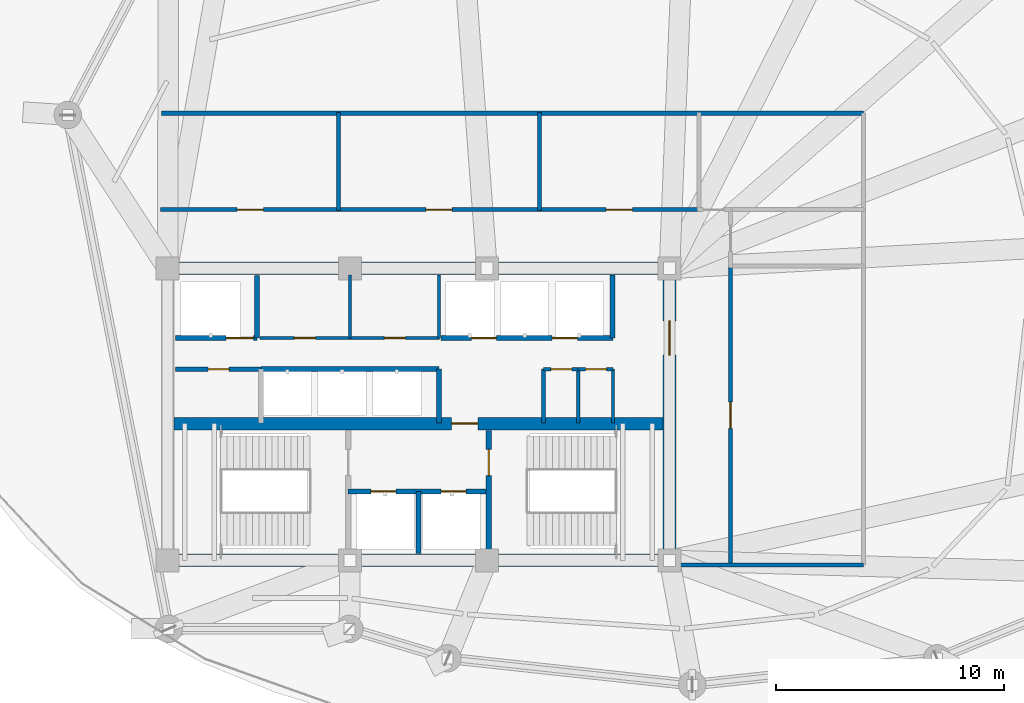
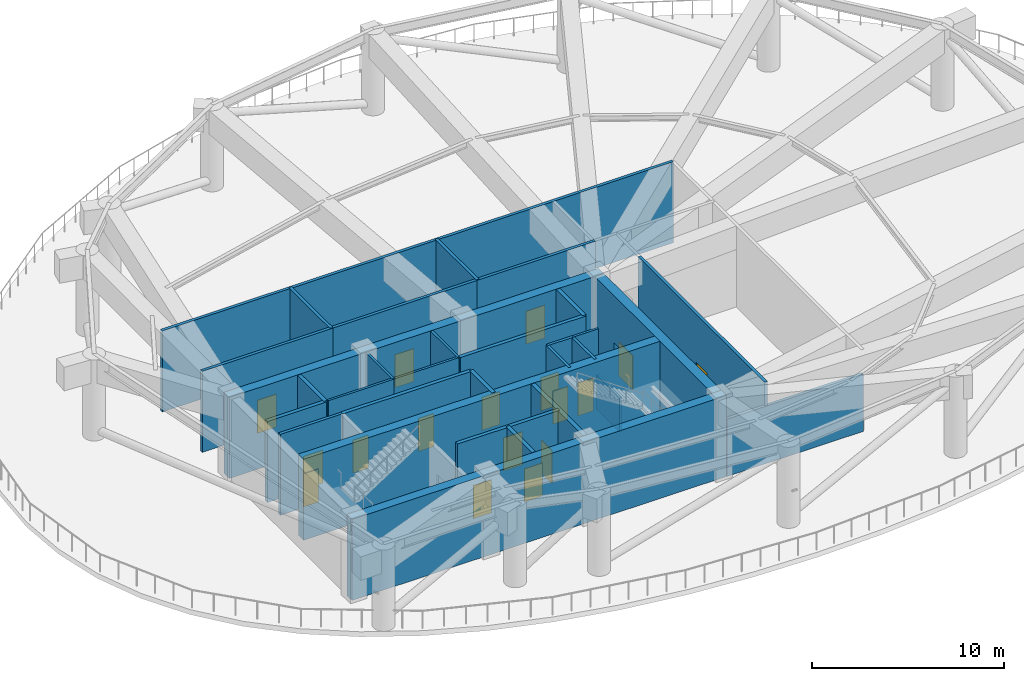
# One storey, part 6 of 9: 31 walls, 17 doors, 17 openings.
"""IFC4 building model written with IfcOpenShell, lengths in metres."""

from ifc_helpers import new_model, si_unit, direction, frame, frame_2d, origin, place, context, subcontext, project, spatial, rectangle, extrude, material, layer, layer_set, type_object, element, fill, save


model = new_model("IFC4")

# Units and contexts
model_context = context("Model", 3, precision=1e-05, world=origin(), true_north=direction((0.0, 1.0)))
body_context = subcontext(model_context, "Body", "Model", "MODEL_VIEW")
ifc_project = project(units=[si_unit("LENGTHUNIT", "METRE"), si_unit("AREAUNIT", "SQUARE_METRE"), si_unit("VOLUMEUNIT", "CUBIC_METRE"), si_unit("PLANEANGLEUNIT", "RADIAN"), si_unit("MASSUNIT", "GRAM", prefix="KILO")], contexts=[model_context])

# Site, building, storey
site_placement = place(None, origin())
site = spatial("IfcSite", under=ifc_project, at=site_placement, CompositionType="ELEMENT")
building_placement = place(site_placement, origin())
building = spatial("IfcBuilding", under=site, at=building_placement, Name="Kazevale Care Tower and Concert Hall", CompositionType="ELEMENT")
storey_placement = place(building_placement, frame((0.0, 0.0, 181.800048828125)))
storey = spatial("IfcBuildingStorey", under=building, at=storey_placement, Name="L48", CompositionType="ELEMENT", Elevation=181.800048828125)

# Wall, opening, door
ifc_material_1 = material(Name="Acoustic Gypsum on Steel Stud", Category="steel")
ifc_layer_1 = layer(ifc_material_1, 0.139892578125)
ifc_layer_set_1 = layer_set([ifc_layer_1], Name="Acoustic Gypsum on Steel Stud")
wall_type_1 = type_object("IfcWallType", Name="Acoustic Care & Suite Partition 140", PredefinedType="PARTITIONING", material=ifc_layer_set_1)
wall_1_placement = place(storey_placement, frame((26.050048828125, 33.35009765625, 0.0), z_axis=(0.0, 0.0, 1.0), x_axis=(1.0, 0.0, 0.0)))
wall_1 = element("IfcWall", 1, at=wall_1_placement, inside=storey, type_object=wall_type_1, Name="wall:L48:c_rpl1_s", PredefinedType="PARTITIONING", context=body_context, shape_type="SweptSolid", body=[
    extrude(rectangle(XDim=3.949951171875, YDim=0.139892578125, at=frame_2d((1.97509765625, 0.0))), origin(), (0.0, 0.0, 1.0), 5.159912109375),
])
opening_1_placement = place(wall_1_placement, frame((1.514892578125, 0.0, 0.0)))
opening_1 = element("IfcOpeningElement", 2, at=opening_1_placement, cuts=wall_1, Name="Opening ID-900", PredefinedType="OPENING", context=body_context, shape_type="SweptSolid", body=[
    extrude(rectangle(XDim=0.919921875, YDim=2.10009765625, at=frame_2d((0.4599609375, 1.050048828125))), frame((0.0, 0.079833984375, 0.0), z_axis=(0.0, -1.0, 0.0), x_axis=(1.0, 0.0, 0.0)), (0.0, 0.0, 1.0), 0.159912109375),
])
ifc_material_2 = material(Name="Oak Timber Fire Leaf", Category="wood")
door_type_1 = type_object("IfcDoorType", Name="Bathroom & Service Door 920x2100", OperationType="NOTDEFINED", PredefinedType="DOOR", material=ifc_material_2)
door_1_placement = place(opening_1_placement, origin())
door_1 = element("IfcDoor", 3, at=door_1_placement, inside=storey, type_object=door_type_1, Name="door:L48:d_rpl1", OperationType="SINGLE_SWING_LEFT", OverallHeight=2.10009765625, OverallWidth=0.919921875, PredefinedType="DOOR", context=body_context, shape_type="SweptSolid", body=[
    extrude(rectangle(XDim=0.919921875, YDim=2.10009765625, at=frame_2d((0.4599609375, 1.050048828125))), frame((0.0, 0.02490234375, 0.0), z_axis=(0.0, -1.0, 0.0), x_axis=(1.0, 0.0, 0.0)), (0.0, 0.0, 1.0), 0.050048828125),
])
fill(opening_1, door_1)

wall_2_placement = place(storey_placement, frame((30.0, 33.35009765625, 0.0), z_axis=(0.0, 0.0, 1.0), x_axis=(1.0, 0.0, 0.0)))
wall_2 = element("IfcWall", 4, at=wall_2_placement, inside=storey, type_object=wall_type_1, Name="wall:L48:c_rpl2_s", PredefinedType="PARTITIONING", context=body_context, shape_type="SweptSolid", body=[
    extrude(rectangle(XDim=3.919921875, YDim=0.139892578125, at=frame_2d((1.9599609375, 0.0))), origin(), (0.0, 0.0, 1.0), 5.159912109375),
])
opening_2_placement = place(wall_2_placement, frame((1.5, 0.0, 0.0)))
opening_2 = element("IfcOpeningElement", 5, at=opening_2_placement, cuts=wall_2, Name="Opening ID-900", PredefinedType="OPENING", context=body_context, shape_type="SweptSolid", body=[
    extrude(rectangle(XDim=0.919921875, YDim=2.10009765625, at=frame_2d((0.4599609375, 1.050048828125))), frame((0.0, 0.079833984375, 0.0), z_axis=(0.0, -1.0, 0.0), x_axis=(1.0, 0.0, 0.0)), (0.0, 0.0, 1.0), 0.159912109375),
])
door_2_placement = place(opening_2_placement, origin())
door_2 = element("IfcDoor", 6, at=door_2_placement, inside=storey, type_object=door_type_1, Name="door:L48:d_rpl2", OperationType="SINGLE_SWING_RIGHT", OverallHeight=2.10009765625, OverallWidth=0.919921875, PredefinedType="DOOR", context=body_context, shape_type="SweptSolid", body=[
    extrude(rectangle(XDim=0.919921875, YDim=2.10009765625, at=frame_2d((0.4599609375, 1.050048828125))), frame((0.0, 0.02490234375, 0.0), z_axis=(0.0, -1.0, 0.0), x_axis=(1.0, 0.0, 0.0)), (0.0, 0.0, 1.0), 0.050048828125),
])
fill(opening_2, door_2)

# Walls
for number, where, z_axis, x_axis, name in (
    (7, (30.0, 33.35009765625, 0.0), (0.0, 0.0, 1.0), (0.0, 1.0, 0.0), "wall:L48:c_rpl_m"),
    (8, (33.89990234375, 33.35009765625, 0.0), (0.0, 0.0, 1.0), (0.0, 1.0, 0.0), "wall:L48:c_rpl_e"),
):
    element("IfcWall", number, at=place(storey_placement, frame(where, z_axis=z_axis, x_axis=x_axis)), inside=storey, type_object=wall_type_1, Name=name, PredefinedType="PARTITIONING", context=body_context, shape_type="SweptSolid", body=[
        extrude(rectangle(XDim=2.75, YDim=0.139892578125, at=frame_2d((1.375, 0.0))), origin(), (0.0, 0.0, 1.0), 5.159912109375),
    ])
wall_3_placement = place(storey_placement, frame((41.52001953125, 29.6201171875, 0.0), z_axis=(0.0, 0.0, 1.0), x_axis=(0.0, 1.0, 0.0)))
element("IfcWall", 9, at=wall_3_placement, inside=storey, type_object=wall_type_1, Name="wall:L48:ka_ee", PredefinedType="PARTITIONING", context=body_context, shape_type="SweptSolid", body=[
    extrude(rectangle(XDim=2.35986328125, YDim=0.139892578125, at=frame_2d((1.179931640625, 0.0))), origin(), (0.0, 0.0, 1.0), 2.18701171875),
])

# Wall, opening, door
wall_4_placement = place(storey_placement, frame((40.0, 31.97998046875, 0.0), z_axis=(0.0, 0.0, 1.0), x_axis=(1.0, 0.0, 0.0)))
wall_4 = element("IfcWall", 10, at=wall_4_placement, inside=storey, type_object=wall_type_1, Name="wall:L48:ka_en2", PredefinedType="PARTITIONING", context=body_context, shape_type="SweptSolid", body=[
    extrude(rectangle(XDim=1.52001953125, YDim=0.139892578125, at=frame_2d((0.760009765625, 0.0))), origin(), (0.0, 0.0, 1.0), 5.159912109375),
])
opening_3_placement = place(wall_4_placement, frame((0.320068359375, 0.0, 0.0)))
opening_3 = element("IfcOpeningElement", 11, at=opening_3_placement, cuts=wall_4, Name="Opening ID-900", PredefinedType="OPENING", context=body_context, shape_type="SweptSolid", body=[
    extrude(rectangle(XDim=0.919921875, YDim=2.10009765625, at=frame_2d((0.4599609375, 1.050048828125))), frame((0.0, 0.079833984375, 0.0), z_axis=(0.0, -1.0, 0.0), x_axis=(1.0, 0.0, 0.0)), (0.0, 0.0, 1.0), 0.159912109375),
])
door_3_placement = place(opening_3_placement, origin())
door_3 = element("IfcDoor", 12, at=door_3_placement, inside=storey, type_object=door_type_1, Name="door:L48:d_kae2", OperationType="SINGLE_SWING_RIGHT", OverallHeight=2.10009765625, OverallWidth=0.919921875, PredefinedType="DOOR", context=body_context, shape_type="SweptSolid", body=[
    extrude(rectangle(XDim=0.919921875, YDim=2.10009765625, at=frame_2d((0.4599609375, 1.050048828125))), frame((0.0, 0.02490234375, 0.0), z_axis=(0.0, -1.0, 0.0), x_axis=(1.0, 0.0, 0.0)), (0.0, 0.0, 1.0), 0.050048828125),
])
fill(opening_3, door_3)

# Walls
ifc_material_3 = material(Name="Concrete C60", Category="concrete")
ifc_layer_2 = layer(ifc_material_3, 0.550048828125)
ifc_layer_set_2 = layer_set([ifc_layer_2], Name="Concrete C60")
wall_type_2 = type_object("IfcWallType", Name="Core Shear Wall 550 C60", PredefinedType="SHEAR", material=ifc_layer_set_2)
for number, where, z_axis, x_axis, name in (
    (13, (21.72509765625, 23.60009765625, 0.0), (0.0, 0.0, 1.0), (1.0, 0.0, 0.0), "wall:L48:core:S"),
    (14, (21.72509765625, 36.39990234375, 0.0), (0.0, 0.0, 1.0), (1.0, 0.0, 0.0), "wall:L48:core:N"),
):
    element("IfcWall", number, at=place(storey_placement, frame(where, z_axis=z_axis, x_axis=x_axis)), inside=storey, type_object=wall_type_2, Name=name, PredefinedType="SHEAR", context=body_context, shape_type="SweptSolid", body=[
        extrude(rectangle(XDim=22.5498046875, YDim=0.550048828125, at=frame_2d((11.27490234375, 0.0))), origin(), (0.0, 0.0, 1.0), 5.159912109375),
    ])

# Wall, opening, door
wall_5_placement = place(storey_placement, frame((44.0, 23.875, 0.0), z_axis=(0.0, 0.0, 1.0), x_axis=(0.0, 1.0, 0.0)))
wall_5 = element("IfcWall", 15, at=wall_5_placement, inside=storey, type_object=wall_type_2, Name="wall:L48:core:E", PredefinedType="SHEAR", context=body_context, shape_type="SweptSolid", body=[
    extrude(rectangle(XDim=12.25, YDim=0.550048828125, at=frame_2d((6.125, 0.0))), origin(), (0.0, 0.0, 1.0), 5.159912109375),
])
opening_4_placement = place(wall_5_placement, frame((8.72509765625, 0.0, 0.0)))
opening_4 = element("IfcOpeningElement", 16, at=opening_4_placement, cuts=wall_5, Name="Opening FD-60D", PredefinedType="OPENING", context=body_context, shape_type="SweptSolid", body=[
    extrude(rectangle(XDim=1.5, YDim=2.14990234375, at=frame_2d((0.75, 1.074951171875))), frame((0.0, 0.284912109375, 0.0), z_axis=(0.0, -1.0, 0.0), x_axis=(1.0, 0.0, 0.0)), (0.0, 0.0, 1.0), 0.570068359375),
])
door_type_2 = type_object("IfcDoorType", Name="Double Lobby & Auditorium Fire Door 1500x2150", OperationType="NOTDEFINED", PredefinedType="DOOR", material=ifc_material_2)
door_4_placement = place(opening_4_placement, origin())
door_4 = element("IfcDoor", 17, at=door_4_placement, inside=storey, type_object=door_type_2, Name="door:L48:core_east_out", OperationType="DOUBLE_DOOR_SINGLE_SWING", OverallHeight=2.14990234375, OverallWidth=1.5, PredefinedType="DOOR", context=body_context, shape_type="SweptSolid", body=[
    extrude(rectangle(XDim=1.5, YDim=2.14990234375, at=frame_2d((0.75, 1.074951171875))), frame((0.0, 0.02490234375, 0.0), z_axis=(0.0, -1.0, 0.0), x_axis=(1.0, 0.0, 0.0)), (0.0, 0.0, 1.0), 0.050048828125),
])
fill(opening_4, door_4)

wall_6_placement = place(storey_placement, frame((22.27490234375, 29.60009765625, 0.0), z_axis=(0.0, 0.0, 1.0), x_axis=(1.0, 0.0, 0.0)))
wall_6 = element("IfcWall", 18, at=wall_6_placement, inside=storey, type_object=wall_type_2, Name="wall:L48:core:M", PredefinedType="SHEAR", context=body_context, shape_type="SweptSolid", body=[
    extrude(rectangle(XDim=21.4501953125, YDim=0.550048828125, at=frame_2d((10.72509765625, 0.0))), origin(), (0.0, 0.0, 1.0), 5.159912109375),
])
opening_5_placement = place(wall_6_placement, frame((12.175048828125, 0.0, 0.0)))
opening_5 = element("IfcOpeningElement", 19, at=opening_5_placement, cuts=wall_6, Name="Opening FD-90", PredefinedType="OPENING", context=body_context, shape_type="SweptSolid", body=[
    extrude(rectangle(XDim=1.14990234375, YDim=2.10009765625, at=frame_2d((0.574951171875, 1.050048828125))), frame((0.0, 0.284912109375, 0.0), z_axis=(0.0, -1.0, 0.0), x_axis=(1.0, 0.0, 0.0)), (0.0, 0.0, 1.0), 0.570068359375),
])
ifc_material_4 = material(Name="Steel ASTM A572 Gr 50", Category="steel")
door_type_3 = type_object("IfcDoorType", Name="Pressurized Stair & Lobby Fire Door 1150x2100", OperationType="NOTDEFINED", PredefinedType="DOOR", material=ifc_material_4)
door_5_placement = place(opening_5_placement, origin())
door_5 = element("IfcDoor", 20, at=door_5_placement, inside=storey, type_object=door_type_3, Name="door:L48:ff_to_pax", OperationType="SINGLE_SWING_LEFT", OverallHeight=2.10009765625, OverallWidth=1.14990234375, PredefinedType="DOOR", context=body_context, shape_type="SweptSolid", body=[
    extrude(rectangle(XDim=1.14990234375, YDim=2.10009765625, at=frame_2d((0.574951171875, 1.050048828125))), frame((0.0, 0.02490234375, 0.0), z_axis=(0.0, -1.0, 0.0), x_axis=(1.0, 0.0, 0.0)), (0.0, 0.0, 1.0), 0.050048828125),
])
fill(opening_5, door_5)

# Wall, openings, doors
ifc_material_5 = material(Name="Concrete C40", Category="concrete")
ifc_layer_3 = layer(ifc_material_5, 0.219970703125)
ifc_layer_set_3 = layer_set([ifc_layer_3], Name="Concrete C40")
wall_type_3 = type_object("IfcWallType", Name="Elevator Hoistway Shaft Wall 220", PredefinedType="SOLIDWALL", material=ifc_layer_set_3)
wall_7_placement = place(storey_placement, frame((29.919921875, 26.6201171875, 0.0), z_axis=(0.0, 0.0, 1.0), x_axis=(1.0, 0.0, 0.0)))
wall_7 = element("IfcWall", 21, at=wall_7_placement, inside=storey, type_object=wall_type_3, Name="wall:L48:c_ffl_n", PredefinedType="SOLIDWALL", context=body_context, shape_type="SweptSolid", body=[
    extrude(rectangle(XDim=6.16015625, YDim=0.219970703125, at=frame_2d((3.080078125, 0.0))), origin(), (0.0, 0.0, 1.0), 5.159912109375),
])
opening_6_placement = place(wall_7_placement, frame((0.989990234375, 0.0, 0.0)))
opening_6 = element("IfcOpeningElement", 22, at=opening_6_placement, cuts=wall_7, Name="Opening LD-FF", PredefinedType="OPENING", context=body_context, shape_type="SweptSolid", body=[
    extrude(rectangle(XDim=1.10009765625, YDim=2.10009765625, at=frame_2d((0.550048828125, 1.050048828125))), frame((0.0, 0.119873046875, 0.0), z_axis=(0.0, -1.0, 0.0), x_axis=(1.0, 0.0, 0.0)), (0.0, 0.0, 1.0), 0.239990234375),
])
opening_7_placement = place(wall_7_placement, frame((4.070068359375, 0.0, 0.0)))
opening_7 = element("IfcOpeningElement", 23, at=opening_7_placement, cuts=wall_7, Name="Opening LD-FF", PredefinedType="OPENING", context=body_context, shape_type="SweptSolid", body=[
    extrude(rectangle(XDim=1.10009765625, YDim=2.10009765625, at=frame_2d((0.550048828125, 1.050048828125))), frame((0.0, 0.119873046875, 0.0), z_axis=(0.0, -1.0, 0.0), x_axis=(1.0, 0.0, 0.0)), (0.0, 0.0, 1.0), 0.239990234375),
])
ifc_material_6 = material(Name="Stainless Steel 316", Category="steel")
door_type_4 = type_object("IfcDoorType", Name="Emergency Lift Sliding Landing Door 1100x2100", OperationType="NOTDEFINED", PredefinedType="DOOR", material=ifc_material_6)
door_6_placement = place(opening_6_placement, origin())
door_6 = element("IfcDoor", 24, at=door_6_placement, inside=storey, type_object=door_type_4, Name="door:L48:ld_ffl1", OperationType="SLIDING_TO_LEFT", OverallHeight=2.10009765625, OverallWidth=1.10009765625, PredefinedType="DOOR", context=body_context, shape_type="SweptSolid", body=[
    extrude(rectangle(XDim=1.10009765625, YDim=2.10009765625, at=frame_2d((0.550048828125, 1.050048828125))), frame((0.0, 0.02490234375, 0.0), z_axis=(0.0, -1.0, 0.0), x_axis=(1.0, 0.0, 0.0)), (0.0, 0.0, 1.0), 0.050048828125),
])
fill(opening_6, door_6)
door_7_placement = place(opening_7_placement, origin())
door_7 = element("IfcDoor", 25, at=door_7_placement, inside=storey, type_object=door_type_4, Name="door:L48:ld_ffl2", OperationType="SLIDING_TO_RIGHT", OverallHeight=2.10009765625, OverallWidth=1.10009765625, PredefinedType="DOOR", context=body_context, shape_type="SweptSolid", body=[
    extrude(rectangle(XDim=1.10009765625, YDim=2.10009765625, at=frame_2d((0.550048828125, 1.050048828125))), frame((0.0, 0.02490234375, 0.0), z_axis=(0.0, -1.0, 0.0), x_axis=(1.0, 0.0, 0.0)), (0.0, 0.0, 1.0), 0.050048828125),
])
fill(opening_7, door_7)

# Walls
wall_8_placement = place(storey_placement, frame((33.0, 23.89990234375, 0.0), z_axis=(0.0, 0.0, 1.0), x_axis=(0.0, 1.0, 0.0)))
element("IfcWall", 26, at=wall_8_placement, inside=storey, type_object=wall_type_3, Name="wall:L48:c_ffl_m", PredefinedType="SOLIDWALL", context=body_context, shape_type="SweptSolid", body=[
    extrude(rectangle(XDim=2.72021484375, YDim=0.219970703125, at=frame_2d((1.360107421875, 0.0))), origin(), (0.0, 0.0, 1.0), 5.159912109375),
])
wall_9_placement = place(storey_placement, frame((25.919921875, 33.35009765625, 0.0), z_axis=(0.0, 0.0, 1.0), x_axis=(0.0, 1.0, 0.0)))
element("IfcWall", 27, at=wall_9_placement, inside=storey, type_object=wall_type_3, Name="wall:L48:c_svl_e", PredefinedType="SOLIDWALL", context=body_context, shape_type="SweptSolid", body=[
    extrude(rectangle(XDim=2.72998046875, YDim=0.219970703125, at=frame_2d((1.364990234375, 0.0))), origin(), (0.0, 0.0, 1.0), 5.159912109375),
])

# Wall, opening, door
wall_10_placement = place(storey_placement, frame((22.35009765625, 33.35009765625, 0.0), z_axis=(0.0, 0.0, 1.0), x_axis=(1.0, 0.0, 0.0)))
wall_10 = element("IfcWall", 28, at=wall_10_placement, inside=storey, type_object=wall_type_3, Name="wall:L48:c_svl_s", PredefinedType="SOLIDWALL", context=body_context, shape_type="SweptSolid", body=[
    extrude(rectangle(XDim=3.56982421875, YDim=0.219970703125, at=frame_2d((1.784912109375, 0.0))), origin(), (0.0, 0.0, 1.0), 5.159912109375),
])
opening_8_placement = place(wall_10_placement, frame((2.212890625, 0.0, 0.0)))
opening_8 = element("IfcOpeningElement", 29, at=opening_8_placement, cuts=wall_10, Name="Opening LD-SV", PredefinedType="OPENING", context=body_context, shape_type="SweptSolid", body=[
    extrude(rectangle(XDim=1.199951171875, YDim=2.10009765625, at=frame_2d((0.60009765625, 1.050048828125))), frame((0.0, 0.119873046875, 0.0), z_axis=(0.0, -1.0, 0.0), x_axis=(1.0, 0.0, 0.0)), (0.0, 0.0, 1.0), 0.239990234375),
])
door_type_5 = type_object("IfcDoorType", Name="Service Lift Sliding Landing Door 1200x2100", OperationType="NOTDEFINED", PredefinedType="DOOR", material=ifc_material_6)
door_8_placement = place(opening_8_placement, origin())
door_8 = element("IfcDoor", 30, at=door_8_placement, inside=storey, type_object=door_type_5, Name="door:L48:ld_svl1", OperationType="SLIDING_TO_LEFT", OverallHeight=2.10009765625, OverallWidth=1.199951171875, PredefinedType="DOOR", context=body_context, shape_type="SweptSolid", body=[
    extrude(rectangle(XDim=1.199951171875, YDim=2.10009765625, at=frame_2d((0.60009765625, 1.050048828125))), frame((0.0, 0.02490234375, 0.0), z_axis=(0.0, -1.0, 0.0), x_axis=(1.0, 0.0, 0.0)), (0.0, 0.0, 1.0), 0.050048828125),
])
fill(opening_8, door_8)

# Walls
wall_11_placement = place(storey_placement, frame((26.10009765625, 31.97998046875, 0.0), z_axis=(0.0, 0.0, 1.0), x_axis=(1.0, 0.0, 0.0)))
element("IfcWall", 31, at=wall_11_placement, inside=storey, type_object=wall_type_3, Name="wall:L48:c_ph_n", PredefinedType="SOLIDWALL", context=body_context, shape_type="SweptSolid", body=[
    extrude(rectangle(XDim=7.7998046875, YDim=0.219970703125, at=frame_2d((3.89990234375, 0.0))), origin(), (0.0, 0.0, 1.0), 5.159912109375),
])
wall_12_placement = place(storey_placement, frame((33.89990234375, 29.6201171875, 0.0), z_axis=(0.0, 0.0, 1.0), x_axis=(0.0, 1.0, 0.0)))
element("IfcWall", 32, at=wall_12_placement, inside=storey, type_object=wall_type_3, Name="wall:L48:c_ph_e", PredefinedType="SOLIDWALL", context=body_context, shape_type="SweptSolid", body=[
    extrude(rectangle(XDim=2.35986328125, YDim=0.219970703125, at=frame_2d((1.179931640625, 0.0))), origin(), (0.0, 0.0, 1.0), 5.159912109375),
])

# Wall, openings, doors
wall_13_placement = place(storey_placement, frame((33.97998046875, 33.35009765625, 0.0), z_axis=(0.0, 0.0, 1.0), x_axis=(1.0, 0.0, 0.0)))
wall_13 = element("IfcWall", 33, at=wall_13_placement, inside=storey, type_object=wall_type_3, Name="wall:L48:c_pm_s", PredefinedType="SOLIDWALL", context=body_context, shape_type="SweptSolid", body=[
    extrude(rectangle(XDim=7.5400390625, YDim=0.219970703125, at=frame_2d((3.77001953125, 0.0))), origin(), (0.0, 0.0, 1.0), 5.159912109375),
])
opening_9_placement = place(wall_13_placement, frame((1.3349609375, 0.0, 0.0)))
opening_9 = element("IfcOpeningElement", 34, at=opening_9_placement, cuts=wall_13, Name="Opening LD-PAX", PredefinedType="OPENING", context=body_context, shape_type="SweptSolid", body=[
    extrude(rectangle(XDim=1.10009765625, YDim=2.10009765625, at=frame_2d((0.550048828125, 1.050048828125))), frame((0.0, 0.119873046875, 0.0), z_axis=(0.0, -1.0, 0.0), x_axis=(1.0, 0.0, 0.0)), (0.0, 0.0, 1.0), 0.239990234375),
])
opening_10_placement = place(wall_13_placement, frame((4.87890625, 0.0, 0.0)))
opening_10 = element("IfcOpeningElement", 35, at=opening_10_placement, cuts=wall_13, Name="Opening LD-PAX", PredefinedType="OPENING", context=body_context, shape_type="SweptSolid", body=[
    extrude(rectangle(XDim=1.10009765625, YDim=2.10009765625, at=frame_2d((0.550048828125, 1.050048828125))), frame((0.0, 0.119873046875, 0.0), z_axis=(0.0, -1.0, 0.0), x_axis=(1.0, 0.0, 0.0)), (0.0, 0.0, 1.0), 0.239990234375),
])
door_type_6 = type_object("IfcDoorType", Name="Passenger Lift Sliding Landing Door 1100x2100", OperationType="NOTDEFINED", PredefinedType="DOOR", material=ifc_material_6)
door_9_placement = place(opening_9_placement, origin())
door_9 = element("IfcDoor", 36, at=door_9_placement, inside=storey, type_object=door_type_6, Name="door:L48:ld_pm1", OperationType="SLIDING_TO_LEFT", OverallHeight=2.10009765625, OverallWidth=1.10009765625, PredefinedType="DOOR", context=body_context, shape_type="SweptSolid", body=[
    extrude(rectangle(XDim=1.10009765625, YDim=2.10009765625, at=frame_2d((0.550048828125, 1.050048828125))), frame((0.0, 0.02490234375, 0.0), z_axis=(0.0, -1.0, 0.0), x_axis=(1.0, 0.0, 0.0)), (0.0, 0.0, 1.0), 0.050048828125),
])
fill(opening_9, door_9)
door_10_placement = place(opening_10_placement, origin())
door_10 = element("IfcDoor", 37, at=door_10_placement, inside=storey, type_object=door_type_6, Name="door:L48:ld_pm2", OperationType="SLIDING_TO_RIGHT", OverallHeight=2.10009765625, OverallWidth=1.10009765625, PredefinedType="DOOR", context=body_context, shape_type="SweptSolid", body=[
    extrude(rectangle(XDim=1.10009765625, YDim=2.10009765625, at=frame_2d((0.550048828125, 1.050048828125))), frame((0.0, 0.02490234375, 0.0), z_axis=(0.0, -1.0, 0.0), x_axis=(1.0, 0.0, 0.0)), (0.0, 0.0, 1.0), 0.050048828125),
])
fill(opening_10, door_10)

# Wall
wall_14_placement = place(storey_placement, frame((41.5, 33.35009765625, 0.0), z_axis=(0.0, 0.0, 1.0), x_axis=(0.0, 1.0, 0.0)))
element("IfcWall", 38, at=wall_14_placement, inside=storey, type_object=wall_type_3, Name="wall:L48:c_pm_e", PredefinedType="SOLIDWALL", context=body_context, shape_type="SweptSolid", body=[
    extrude(rectangle(XDim=2.75, YDim=0.219970703125, at=frame_2d((1.375, 0.0))), origin(), (0.0, 0.0, 1.0), 5.159912109375),
])

# Wall, opening, door
ifc_material_7 = material(Name="Concrete C40 and Acoustic Gypsum", Category="concrete")
ifc_layer_4 = layer(ifc_material_7, 0.179931640625)
ifc_layer_set_4 = layer_set([ifc_layer_4], Name="Concrete C40 and Acoustic Gypsum")
wall_type_4 = type_object("IfcWallType", Name="Fire-Rated Corridor & Party Wall 180", PredefinedType="PARTITIONING", material=ifc_layer_set_4)
wall_15_placement = place(storey_placement, frame((22.35009765625, 31.97998046875, 0.0), z_axis=(0.0, 0.0, 1.0), x_axis=(1.0, 0.0, 0.0)))
wall_15 = element("IfcWall", 39, at=wall_15_placement, inside=storey, type_object=wall_type_4, Name="wall:L48:ka_wn1", PredefinedType="PARTITIONING", context=body_context, shape_type="SweptSolid", body=[
    extrude(rectangle(XDim=3.75, YDim=0.179931640625, at=frame_2d((1.875, 0.0))), origin(), (0.0, 0.0, 1.0), 5.159912109375),
])
opening_11_placement = place(wall_15_placement, frame((1.425048828125, 0.0, 0.0)))
opening_11 = element("IfcOpeningElement", 40, at=opening_11_placement, cuts=wall_15, Name="Opening ID-900", PredefinedType="OPENING", context=body_context, shape_type="SweptSolid", body=[
    extrude(rectangle(XDim=0.919921875, YDim=2.10009765625, at=frame_2d((0.4599609375, 1.050048828125))), frame((0.0, 0.099853515625, 0.0), z_axis=(0.0, -1.0, 0.0), x_axis=(1.0, 0.0, 0.0)), (0.0, 0.0, 1.0), 0.199951171875),
])
door_11_placement = place(opening_11_placement, origin())
door_11 = element("IfcDoor", 41, at=door_11_placement, inside=storey, type_object=door_type_1, Name="door:L48:d_kaw", OperationType="SINGLE_SWING_LEFT", OverallHeight=2.10009765625, OverallWidth=0.919921875, PredefinedType="DOOR", context=body_context, shape_type="SweptSolid", body=[
    extrude(rectangle(XDim=0.919921875, YDim=2.10009765625, at=frame_2d((0.4599609375, 1.050048828125))), frame((0.0, 0.02490234375, 0.0), z_axis=(0.0, -1.0, 0.0), x_axis=(1.0, 0.0, 0.0)), (0.0, 0.0, 1.0), 0.050048828125),
])
fill(opening_11, door_11)

# Walls
wall_16_placement = place(storey_placement, frame((21.72509765625, 43.199951171875, 0.0), z_axis=(0.0, 0.0, 1.0), x_axis=(1.0, 0.0, 0.0)))
element("IfcWall", 42, at=wall_16_placement, inside=storey, type_object=wall_type_4, Name="wall:L48:wf_enc_n", PredefinedType="PARTITIONING", context=body_context, shape_type="SweptSolid", body=[
    extrude(rectangle(XDim=30.77490234375, YDim=0.179931640625, at=frame_2d((15.387451171875, 0.0))), origin(), (0.0, 0.0, 1.0), 5.159912109375),
])
wall_17_placement = place(storey_placement, frame((44.27490234375, 23.39990234375, 0.0), z_axis=(0.0, 0.0, 1.0), x_axis=(1.0, 0.0, 0.0)))
element("IfcWall", 43, at=wall_17_placement, inside=storey, type_object=wall_type_4, Name="wall:L48:wf_enc_s", PredefinedType="PARTITIONING", context=body_context, shape_type="SweptSolid", body=[
    extrude(rectangle(XDim=8.22509765625, YDim=0.179931640625, at=frame_2d((4.112548828125, 0.0))), origin(), (0.0, 0.0, 1.0), 3.64990234375),
])

# Wall, opening, door
wall_18_placement = place(storey_placement, frame((21.695068359375, 38.97509765625, 0.0), z_axis=(0.0, 0.0, 1.0), x_axis=(1.0, 0.0, 0.0)))
wall_18 = element("IfcWall", 44, at=wall_18_placement, inside=storey, type_object=wall_type_4, Name="wall:L48:auto_001", PredefinedType="PARTITIONING", context=body_context, shape_type="SweptSolid", body=[
    extrude(rectangle(XDim=7.869873046875, YDim=0.179931640625, at=frame_2d((3.93505859375, 0.0))), origin(), (0.0, 0.0, 1.0), 5.159912109375),
])
opening_12_placement = place(wall_18_placement, frame((3.360107421875, 0.0, 0.0)))
opening_12 = element("IfcOpeningElement", 45, at=opening_12_placement, cuts=wall_18, Name="Opening FD-90", PredefinedType="OPENING", context=body_context, shape_type="SweptSolid", body=[
    extrude(rectangle(XDim=1.14990234375, YDim=2.10009765625, at=frame_2d((0.574951171875, 1.050048828125))), frame((0.0, 0.099853515625, 0.0), z_axis=(0.0, -1.0, 0.0), x_axis=(1.0, 0.0, 0.0)), (0.0, 0.0, 1.0), 0.199951171875),
])
door_12_placement = place(opening_12_placement, origin())
door_12 = element("IfcDoor", 46, at=door_12_placement, inside=storey, type_object=door_type_3, Name="door:L48:ad_001", OperationType="SINGLE_SWING_LEFT", OverallHeight=2.10009765625, OverallWidth=1.14990234375, PredefinedType="DOOR", context=body_context, shape_type="SweptSolid", body=[
    extrude(rectangle(XDim=1.14990234375, YDim=2.10009765625, at=frame_2d((0.574951171875, 1.050048828125))), frame((0.0, 0.02490234375, 0.0), z_axis=(0.0, -1.0, 0.0), x_axis=(1.0, 0.0, 0.0)), (0.0, 0.0, 1.0), 0.050048828125),
])
fill(opening_12, door_12)

wall_19_placement = place(storey_placement, frame((46.675048828125, 36.56494140625, 0.0), z_axis=(0.0, 0.0, 1.0), x_axis=(0.0, -1.0, 0.0)))
wall_19 = element("IfcWall", 47, at=wall_19_placement, inside=storey, type_object=wall_type_4, Name="wall:L48:auto_002", PredefinedType="PARTITIONING", context=body_context, shape_type="SweptSolid", body=[
    extrude(rectangle(XDim=13.19482421875, YDim=0.179931640625, at=frame_2d((6.597412109375, 0.0))), origin(), (0.0, 0.0, 1.0), 5.159912109375),
])
opening_13_placement = place(wall_19_placement, frame((6.02197265625, 0.0, 0.0)))
opening_13 = element("IfcOpeningElement", 48, at=opening_13_placement, cuts=wall_19, Name="Opening FD-90", PredefinedType="OPENING", context=body_context, shape_type="SweptSolid", body=[
    extrude(rectangle(XDim=1.14990234375, YDim=2.10009765625, at=frame_2d((0.574951171875, 1.050048828125))), frame((0.0, 0.099853515625, 0.0), z_axis=(0.0, -1.0, 0.0), x_axis=(1.0, 0.0, 0.0)), (0.0, 0.0, 1.0), 0.199951171875),
])
door_13_placement = place(opening_13_placement, origin())
door_13 = element("IfcDoor", 49, at=door_13_placement, inside=storey, type_object=door_type_3, Name="door:L48:ad_002", OperationType="SINGLE_SWING_LEFT", OverallHeight=2.10009765625, OverallWidth=1.14990234375, PredefinedType="DOOR", context=body_context, shape_type="SweptSolid", body=[
    extrude(rectangle(XDim=1.14990234375, YDim=2.10009765625, at=frame_2d((0.574951171875, 1.050048828125))), frame((0.0, 0.02490234375, 0.0), z_axis=(0.0, -1.0, 0.0), x_axis=(1.0, 0.0, 0.0)), (0.0, 0.0, 1.0), 0.050048828125),
])
fill(opening_13, door_13)

wall_20_placement = place(storey_placement, frame((29.43505859375, 38.97509765625, 0.0), z_axis=(0.0, 0.0, 1.0), x_axis=(1.0, 0.0, 0.0)))
wall_20 = element("IfcWall", 50, at=wall_20_placement, inside=storey, type_object=wall_type_4, Name="wall:L48:auto_003", PredefinedType="PARTITIONING", context=body_context, shape_type="SweptSolid", body=[
    extrude(rectangle(XDim=8.929931640625, YDim=0.179931640625, at=frame_2d((4.46484375, 0.0))), origin(), (0.0, 0.0, 1.0), 5.159912109375),
])
opening_14_placement = place(wall_20_placement, frame((3.889892578125, 0.0, 0.0)))
opening_14 = element("IfcOpeningElement", 51, at=opening_14_placement, cuts=wall_20, Name="Opening FD-90", PredefinedType="OPENING", context=body_context, shape_type="SweptSolid", body=[
    extrude(rectangle(XDim=1.14990234375, YDim=2.10009765625, at=frame_2d((0.574951171875, 1.050048828125))), frame((0.0, 0.099853515625, 0.0), z_axis=(0.0, -1.0, 0.0), x_axis=(1.0, 0.0, 0.0)), (0.0, 0.0, 1.0), 0.199951171875),
])
door_14_placement = place(opening_14_placement, origin())
door_14 = element("IfcDoor", 52, at=door_14_placement, inside=storey, type_object=door_type_3, Name="door:L48:ad_003", OperationType="SINGLE_SWING_LEFT", OverallHeight=2.10009765625, OverallWidth=1.14990234375, PredefinedType="DOOR", context=body_context, shape_type="SweptSolid", body=[
    extrude(rectangle(XDim=1.14990234375, YDim=2.10009765625, at=frame_2d((0.574951171875, 1.050048828125))), frame((0.0, 0.02490234375, 0.0), z_axis=(0.0, -1.0, 0.0), x_axis=(1.0, 0.0, 0.0)), (0.0, 0.0, 1.0), 0.050048828125),
])
fill(opening_14, door_14)

wall_21_placement = place(storey_placement, frame((38.235107421875, 38.97509765625, 0.0), z_axis=(0.0, 0.0, 1.0), x_axis=(1.0, 0.0, 0.0)))
wall_21 = element("IfcWall", 53, at=wall_21_placement, inside=storey, type_object=wall_type_4, Name="wall:L48:auto_004", PredefinedType="PARTITIONING", context=body_context, shape_type="SweptSolid", body=[
    extrude(rectangle(XDim=7.1298828125, YDim=0.179931640625, at=frame_2d((3.56494140625, 0.0))), origin(), (0.0, 0.0, 1.0), 5.159912109375),
])
opening_15_placement = place(wall_21_placement, frame((2.989990234375, 0.0, 0.0)))
opening_15 = element("IfcOpeningElement", 54, at=opening_15_placement, cuts=wall_21, Name="Opening FD-90", PredefinedType="OPENING", context=body_context, shape_type="SweptSolid", body=[
    extrude(rectangle(XDim=1.14990234375, YDim=2.10009765625, at=frame_2d((0.574951171875, 1.050048828125))), frame((0.0, 0.099853515625, 0.0), z_axis=(0.0, -1.0, 0.0), x_axis=(1.0, 0.0, 0.0)), (0.0, 0.0, 1.0), 0.199951171875),
])
door_15_placement = place(opening_15_placement, origin())
door_15 = element("IfcDoor", 55, at=door_15_placement, inside=storey, type_object=door_type_3, Name="door:L48:ad_004", OperationType="SINGLE_SWING_LEFT", OverallHeight=2.10009765625, OverallWidth=1.14990234375, PredefinedType="DOOR", context=body_context, shape_type="SweptSolid", body=[
    extrude(rectangle(XDim=1.14990234375, YDim=2.10009765625, at=frame_2d((0.574951171875, 1.050048828125))), frame((0.0, 0.02490234375, 0.0), z_axis=(0.0, -1.0, 0.0), x_axis=(1.0, 0.0, 0.0)), (0.0, 0.0, 1.0), 0.050048828125),
])
fill(opening_15, door_15)

# Walls
for number, where, z_axis, x_axis, name in (
    (56, (29.5, 43.22998046875, 0.0), (0.0, 0.0, 1.0), (0.0, -1.0, 0.0), "wall:L48:auto_007"),
    (57, (38.300048828125, 43.22998046875, 0.0), (0.0, 0.0, 1.0), (0.0, -1.0, 0.0), "wall:L48:auto_009"),
):
    element("IfcWall", number, at=place(storey_placement, frame(where, z_axis=z_axis, x_axis=x_axis)), inside=storey, type_object=wall_type_4, Name=name, PredefinedType="PARTITIONING", context=body_context, shape_type="SweptSolid", body=[
        extrude(rectangle(XDim=4.284912109375, YDim=0.179931640625, at=frame_2d((2.142578125, 0.0))), origin(), (0.0, 0.0, 1.0), 5.159912109375),
    ])
ifc_layer_5 = layer(ifc_material_1, 0.159912109375)
ifc_layer_set_5 = layer_set([ifc_layer_5], Name="Acoustic Gypsum on Steel Stud")
wall_type_5 = type_object("IfcWallType", Name="Moisture-Resistant Bathroom Plumbing Wall 160", PredefinedType="PLUMBINGWALL", material=ifc_layer_set_5)
for number, where, z_axis, x_axis, name in (
    (58, (38.47998046875, 29.6201171875, 0.0), (0.0, 0.0, 1.0), (0.0, 1.0, 0.0), "wall:L48:ka_ew"),
    (59, (40.0, 29.6201171875, 0.0), (0.0, 0.0, 1.0), (0.0, 1.0, 0.0), "wall:L48:ka_em"),
):
    element("IfcWall", number, at=place(storey_placement, frame(where, z_axis=z_axis, x_axis=x_axis)), inside=storey, type_object=wall_type_5, Name=name, PredefinedType="PLUMBINGWALL", context=body_context, shape_type="SweptSolid", body=[
        extrude(rectangle(XDim=2.35986328125, YDim=0.159912109375, at=frame_2d((1.179931640625, 0.0))), origin(), (0.0, 0.0, 1.0), 5.159912109375),
    ])

# Wall, opening, door
wall_22_placement = place(storey_placement, frame((38.47998046875, 31.97998046875, 0.0), z_axis=(0.0, 0.0, 1.0), x_axis=(1.0, 0.0, 0.0)))
wall_22 = element("IfcWall", 60, at=wall_22_placement, inside=storey, type_object=wall_type_5, Name="wall:L48:ka_en1", PredefinedType="PLUMBINGWALL", context=body_context, shape_type="SweptSolid", body=[
    extrude(rectangle(XDim=1.52001953125, YDim=0.159912109375, at=frame_2d((0.760009765625, 0.0))), origin(), (0.0, 0.0, 1.0), 5.159912109375),
])
opening_16_placement = place(wall_22_placement, frame((0.320068359375, 0.0, 0.0)))
opening_16 = element("IfcOpeningElement", 61, at=opening_16_placement, cuts=wall_22, Name="Opening ID-900", PredefinedType="OPENING", context=body_context, shape_type="SweptSolid", body=[
    extrude(rectangle(XDim=0.919921875, YDim=2.10009765625, at=frame_2d((0.4599609375, 1.050048828125))), frame((0.0, 0.08984375, 0.0), z_axis=(0.0, -1.0, 0.0), x_axis=(1.0, 0.0, 0.0)), (0.0, 0.0, 1.0), 0.179931640625),
])
door_16_placement = place(opening_16_placement, origin())
door_16 = element("IfcDoor", 62, at=door_16_placement, inside=storey, type_object=door_type_1, Name="door:L48:d_kae1", OperationType="SINGLE_SWING_LEFT", OverallHeight=2.10009765625, OverallWidth=0.919921875, PredefinedType="DOOR", context=body_context, shape_type="SweptSolid", body=[
    extrude(rectangle(XDim=0.919921875, YDim=2.10009765625, at=frame_2d((0.4599609375, 1.050048828125))), frame((0.0, 0.02490234375, 0.0), z_axis=(0.0, -1.0, 0.0), x_axis=(1.0, 0.0, 0.0)), (0.0, 0.0, 1.0), 0.050048828125),
])
fill(opening_16, door_16)

ifc_layer_6 = layer(ifc_material_5, 0.25)
ifc_layer_set_6 = layer_set([ifc_layer_6], Name="Concrete C40")
wall_type_6 = type_object("IfcWallType", Name="Pressurized Stair Shaft Wall 250", PredefinedType="SOLIDWALL", material=ifc_layer_set_6)
wall_23_placement = place(storey_placement, frame((36.080078125, 23.89990234375, 0.0), z_axis=(0.0, 0.0, 1.0), x_axis=(0.0, 1.0, 0.0)))
wall_23 = element("IfcWall", 63, at=wall_23_placement, inside=storey, type_object=wall_type_6, Name="wall:L48:c_st2_w", PredefinedType="SOLIDWALL", context=body_context, shape_type="SweptSolid", body=[
    extrude(rectangle(XDim=5.400146484375, YDim=0.25, at=frame_2d((2.7001953125, 0.0))), origin(), (0.0, 0.0, 1.0), 5.159912109375),
])
opening_17_placement = place(wall_23_placement, frame((3.4208984375, 0.0, 0.0)))
opening_17 = element("IfcOpeningElement", 64, at=opening_17_placement, cuts=wall_23, Name="Opening FD-90", PredefinedType="OPENING", context=body_context, shape_type="SweptSolid", body=[
    extrude(rectangle(XDim=1.14990234375, YDim=2.10009765625, at=frame_2d((0.574951171875, 1.050048828125))), frame((0.0, 0.135009765625, 0.0), z_axis=(0.0, -1.0, 0.0), x_axis=(1.0, 0.0, 0.0)), (0.0, 0.0, 1.0), 0.27001953125),
])
door_17_placement = place(opening_17_placement, origin())
door_17 = element("IfcDoor", 65, at=door_17_placement, inside=storey, type_object=door_type_3, Name="door:L48:st2", OperationType="SINGLE_SWING_LEFT", OverallHeight=2.10009765625, OverallWidth=1.14990234375, PredefinedType="DOOR", context=body_context, shape_type="SweptSolid", body=[
    extrude(rectangle(XDim=1.14990234375, YDim=2.10009765625, at=frame_2d((0.574951171875, 1.050048828125))), frame((0.0, 0.02490234375, 0.0), z_axis=(0.0, -1.0, 0.0), x_axis=(1.0, 0.0, 0.0)), (0.0, 0.0, 1.0), 0.050048828125),
])
fill(opening_17, door_17)

save(model, "model.ifc")
